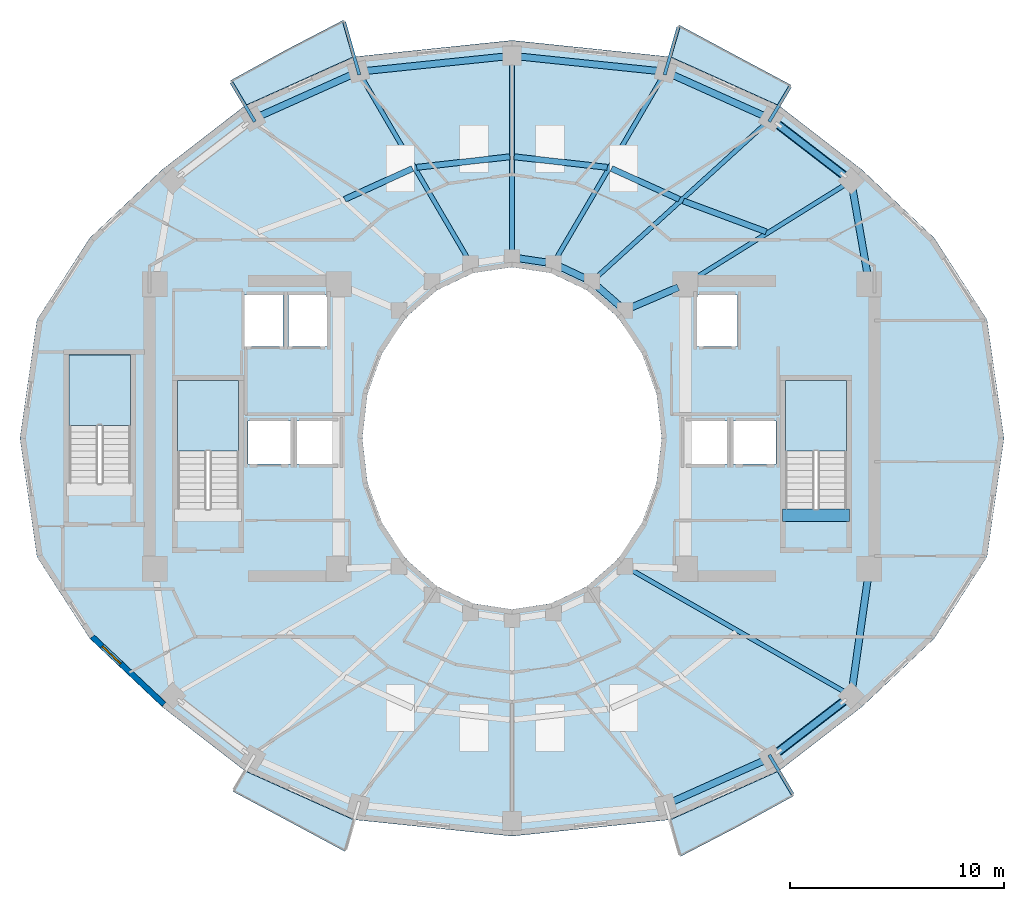
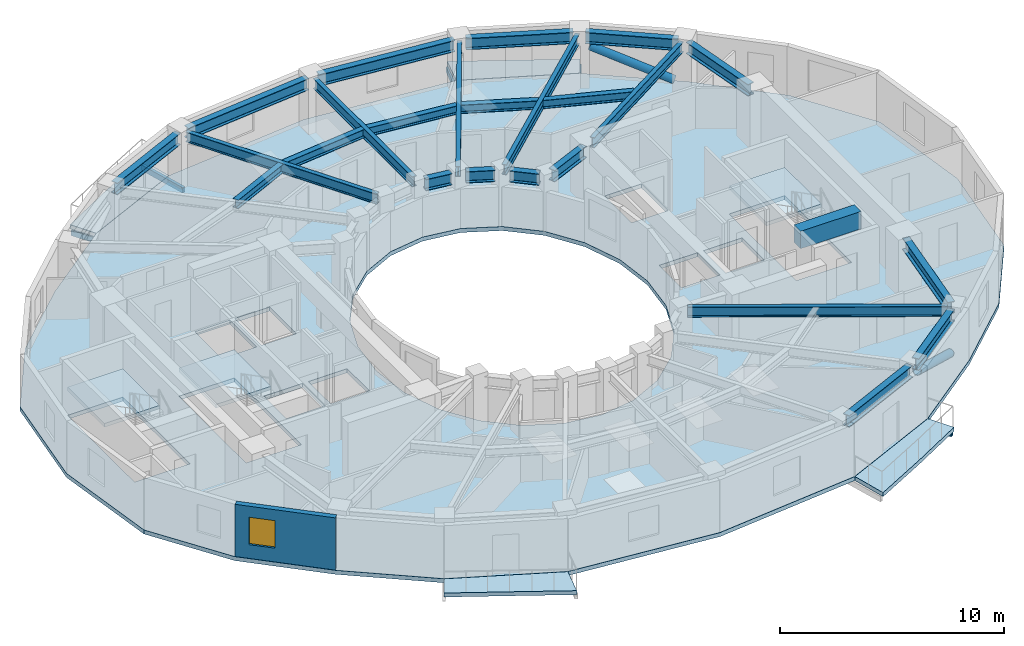
# One storey, part 2 of 10: 30 beams, 8 slabs, 2 members, 1 wall, 1 window, 1 opening, 3 elements without a shape of their own.
"""IFC4 building model written with IfcOpenShell, lengths in metres."""

from ifc_helpers import new_model, si_unit, direction, frame, frame_2d, origin, origin_2d, place, context, subcontext, project, spatial, polyline, rectangle, hollow_rectangle, hollow_circle, i_section, outline, extrude, material, layer, layer_set, material_profile, profile_set, type_object, element, fill, aggregate, save


model = new_model("IFC4")

# Units and contexts
model_context = context("Model", 3, precision=1e-05, world=origin(), true_north=direction((0.0, 1.0)))
body_context = subcontext(model_context, "Body", "Model", "MODEL_VIEW")
ifc_project = project(units=[si_unit("LENGTHUNIT", "METRE"), si_unit("AREAUNIT", "SQUARE_METRE"), si_unit("VOLUMEUNIT", "CUBIC_METRE"), si_unit("PLANEANGLEUNIT", "RADIAN"), si_unit("MASSUNIT", "GRAM", prefix="KILO")], contexts=[model_context])

# Site, building, storey
site_placement = place(None, origin())
site = spatial("IfcSite", under=ifc_project, at=site_placement, CompositionType="ELEMENT")
building_placement = place(site_placement, origin())
building = spatial("IfcBuilding", under=site, at=building_placement, Name="Solvane Sanctuary Tower", CompositionType="ELEMENT")
storey_placement = place(building_placement, frame((0.0, 0.0, 183.89990234375)))
storey = spatial("IfcBuildingStorey", under=building, at=storey_placement, Name="L56", CompositionType="ELEMENT", Elevation=183.89990234375)

# Beams
ifc_material_1 = material(Name="Steel ASTM A500 Grade C", Category="steel")
ifc_material_profile_1 = material_profile(ifc_material_1, hollow_rectangle(XDim=0.14990234375, YDim=0.300048828125, WallThickness=0.010009765625, at=origin_2d()), Name="HSS300X150X10")
ifc_profile_set_1 = profile_set([ifc_material_profile_1], Name="Steel ASTM A500 Grade C")
beam_type_1 = type_object("IfcBeamType", Name="Beam B-BALC-BRK HSS300X150X10", PredefinedType="BEAM", material=ifc_profile_set_1)
beam_1_placement = place(storey_placement, frame((44.02099609375, 37.79931640625, -0.371826171875), z_axis=(0.51388983918, 0.857856184443, 0.0), x_axis=(-0.857856184443, 0.51388983918, 0.0)))
element("IfcBeam", 1, at=beam_1_placement, inside=storey, type_object=beam_type_1, Name="L56 Balcony Bracket N1-1", PredefinedType="BEAM", context=body_context, shape_type="SweptSolid", body=[
    extrude(hollow_rectangle(XDim=0.14990234375, YDim=0.300048828125, WallThickness=0.010009765625, at=origin_2d()), origin(), (0.0, 0.0, 1.0), 1.896484375),
])
beam_2_placement = place(storey_placement, frame((39.13671875, 39.990478515625, -0.371826171875), z_axis=(0.277479359198, 0.960731598949, 0.0), x_axis=(-0.960731598949, 0.277479359198, 0.0)))
element("IfcBeam", 2, at=beam_2_placement, inside=storey, type_object=beam_type_1, Name="L56 Balcony Bracket N1-2", PredefinedType="BEAM", context=body_context, shape_type="SweptSolid", body=[
    extrude(hollow_rectangle(XDim=0.14990234375, YDim=0.300048828125, WallThickness=0.010009765625, at=origin_2d()), origin(), (0.0, 0.0, 1.0), 2.325439453125),
])
beam_3_placement = place(storey_placement, frame((24.863037109375, 39.990478515625, -0.371826171875), z_axis=(-0.275701054563, 0.961243428333, 0.0), x_axis=(-0.961243428333, -0.275701054563, 0.0)))
element("IfcBeam", 3, at=beam_3_placement, inside=storey, type_object=beam_type_1, Name="L56 Balcony Bracket N2-1", PredefinedType="BEAM", context=body_context, shape_type="SweptSolid", body=[
    extrude(hollow_rectangle(XDim=0.14990234375, YDim=0.300048828125, WallThickness=0.010009765625, at=origin_2d()), origin(), (0.0, 0.0, 1.0), 2.566162109375),
])
for number, where, z_axis, x_axis, name in (
    (4, (19.978759765625, 37.79931640625, -0.371826171875), (-0.512327078804, 0.858790407681, 0.0), (-0.858790407681, -0.512327078804, 0.0), "L56 Balcony Bracket N2-2"),
    (5, (44.021240234375, 8.20068359375, -0.371826171875), (0.512327078804, -0.858790407681, 0.0), (0.858790407681, 0.512327078804, 0.0), "L56 Balcony Bracket S2-2"),
):
    element("IfcBeam", number, at=place(storey_placement, frame(where, z_axis=z_axis, x_axis=x_axis)), inside=storey, type_object=beam_type_1, Name=name, PredefinedType="BEAM", context=body_context, shape_type="SweptSolid", body=[
        extrude(hollow_rectangle(XDim=0.14990234375, YDim=0.300048828125, WallThickness=0.010009765625, at=origin_2d()), origin(), (0.0, 0.0, 1.0), 2.13720703125),
    ])
ifc_material_2 = material(Name="Concrete C70/85", Category="concrete")
ifc_material_profile_2 = material_profile(ifc_material_2, rectangle(XDim=0.60009765625, YDim=0.949951171875, at=origin_2d()), Name="RC600X950")
ifc_profile_set_2 = profile_set([ifc_material_profile_2], Name="Concrete C70/85")
beam_type_2 = type_object("IfcBeamType", Name="Beam B-COUPLE RC600X950", PredefinedType="LINTEL", material=ifc_profile_set_2)
beam_4_placement = place(storey_placement, frame((44.64990234375, 19.399169921875, 2.625), z_axis=(1.0, 0.0, 0.0), x_axis=(0.0, 1.0, 0.0)))
element("IfcBeam", 6, at=beam_4_placement, inside=storey, type_object=beam_type_2, Name="L56 ST-2 Stair Floor Landing Trimmer", PredefinedType="LINTEL", context=body_context, shape_type="SweptSolid", body=[
    extrude(rectangle(XDim=0.60009765625, YDim=0.949951171875, at=origin_2d()), origin(), (0.0, 0.0, 1.0), 3.1201171875),
])
ifc_material_3 = material(Name="Steel ASTM A992 Grade 50", Category="steel")
ifc_material_profile_3 = material_profile(ifc_material_3, i_section(OverallWidth=0.214111328125, OverallDepth=0.549072265625, WebThickness=0.0146484375, FlangeThickness=0.023681640625, FilletRadius=0.014892578125, at=origin_2d()), Name="W21X93")
ifc_profile_set_3 = profile_set([ifc_material_profile_3], Name="Steel ASTM A992 Grade 50")
beam_type_3 = type_object("IfcBeamType", Name="Beam B-RAD-Z3 W21X93", PredefinedType="JOIST", material=ifc_profile_set_3)
beam_5_placement = place(storey_placement, frame((40.405517578125, 30.390380859375, 2.603515625), z_axis=(0.84882685523, 0.528670946658, 0.0), x_axis=(-0.528670946658, 0.84882685523, 0.0)))
element("IfcBeam", 7, at=beam_5_placement, inside=storey, type_object=beam_type_3, Name="L56 Radial Composite Floor Beam 01", PredefinedType="JOIST", context=body_context, shape_type="SweptSolid", body=[
    extrude(i_section(OverallWidth=0.214111328125, OverallDepth=0.549072265625, WebThickness=0.0146484375, FlangeThickness=0.023681640625, FilletRadius=0.014892578125, at=origin_2d()), origin(), (0.0, 0.0, 1.0), 8.498046875),
])
beam_6_placement = place(storey_placement, frame((35.937255859375, 30.514892578125, 2.603515625), z_axis=(0.74020423772, 0.672382098558, 0.0), x_axis=(-0.672382098558, 0.74020423772, 0.0)))
element("IfcBeam", 8, at=beam_6_placement, inside=storey, type_object=beam_type_3, Name="L56 Radial Composite Floor Beam 02", PredefinedType="JOIST", context=body_context, shape_type="SweptSolid", body=[
    extrude(i_section(OverallWidth=0.214111328125, OverallDepth=0.549072265625, WebThickness=0.0146484375, FlangeThickness=0.023681640625, FilletRadius=0.014892578125, at=origin_2d()), origin(), (0.0, 0.0, 1.0), 10.7451171875),
])
beam_7_placement = place(storey_placement, frame((34.072265625, 31.413330078125, 2.603515625), z_axis=(0.505243742555, 0.862976686017, 0.0), x_axis=(-0.862976686017, 0.505243742555, 0.0)))
element("IfcBeam", 9, at=beam_7_placement, inside=storey, type_object=beam_type_3, Name="L56 Radial Composite Floor Beam 03", PredefinedType="JOIST", context=body_context, shape_type="SweptSolid", body=[
    extrude(i_section(OverallWidth=0.214111328125, OverallDepth=0.549072265625, WebThickness=0.0146484375, FlangeThickness=0.023681640625, FilletRadius=0.014892578125, at=origin_2d()), origin(), (0.0, 0.0, 1.0), 9.826171875),
])
beam_8_placement = place(storey_placement, frame((32.0, 31.739990234375, 2.603515625), z_axis=(0.0, 1.0, 0.0), x_axis=(-1.0, 0.0, 0.0)))
element("IfcBeam", 10, at=beam_8_placement, inside=storey, type_object=beam_type_3, Name="L56 Radial Composite Floor Beam 04", PredefinedType="JOIST", context=body_context, shape_type="SweptSolid", body=[
    extrude(i_section(OverallWidth=0.214111328125, OverallDepth=0.549072265625, WebThickness=0.0146484375, FlangeThickness=0.023681640625, FilletRadius=0.014892578125, at=origin_2d()), origin(), (0.0, 0.0, 1.0), 8.860107421875),
])
beam_9_placement = place(storey_placement, frame((29.927734375, 31.413330078125, 2.603515625), z_axis=(-0.505243742555, 0.862976686017, 0.0), x_axis=(-0.862976686017, -0.505243742555, 0.0)))
element("IfcBeam", 11, at=beam_9_placement, inside=storey, type_object=beam_type_3, Name="L56 Radial Composite Floor Beam 05", PredefinedType="JOIST", context=body_context, shape_type="SweptSolid", body=[
    extrude(i_section(OverallWidth=0.214111328125, OverallDepth=0.549072265625, WebThickness=0.0146484375, FlangeThickness=0.023681640625, FilletRadius=0.014892578125, at=origin_2d()), origin(), (0.0, 0.0, 1.0), 9.826171875),
])
beam_10_placement = place(storey_placement, frame((37.51806640625, 16.87890625, 2.603515625), z_axis=(0.86816302692, -0.496279113694, 0.0), x_axis=(0.496279113694, 0.86816302692, 0.0)))
element("IfcBeam", 12, at=beam_10_placement, inside=storey, type_object=beam_type_3, Name="L56 Radial Composite Floor Beam 14", PredefinedType="JOIST", context=body_context, shape_type="SweptSolid", body=[
    extrude(i_section(OverallWidth=0.214111328125, OverallDepth=0.549072265625, WebThickness=0.0146484375, FlangeThickness=0.023681640625, FilletRadius=0.014892578125, at=origin_2d()), origin(), (0.0, 0.0, 1.0), 11.62841796875),
])
ifc_material_profile_4 = material_profile(ifc_material_3, i_section(OverallWidth=0.324951171875, OverallDepth=0.615966796875, WebThickness=0.013916015625, FlangeThickness=0.021484375, FilletRadius=0.01611328125, at=origin_2d()), Name="W24X117")
ifc_profile_set_4 = profile_set([ifc_material_profile_4], Name="Steel ASTM A992 Grade 50")
beam_type_4 = type_object("IfcBeamType", Name="Beam B-RING-IN2 W24X117", PredefinedType="BEAM", material=ifc_profile_set_4)
beam_11_placement = place(storey_placement, frame((32.34130859375, 31.4091796875, 2.570068359375), z_axis=(0.989019905763, -0.147782360259, 0.0), x_axis=(0.147782360259, 0.989019905763, 0.0)))
element("IfcBeam", 13, at=beam_11_placement, inside=storey, type_object=beam_type_4, Name="L56 Inner Light-Well Ring Beam IC04-IC03", PredefinedType="BEAM", context=body_context, shape_type="SweptSolid", body=[
    extrude(i_section(OverallWidth=0.324951171875, OverallDepth=0.615966796875, WebThickness=0.013916015625, FlangeThickness=0.021484375, FilletRadius=0.01611328125, at=origin_2d()), origin(), (0.0, 0.0, 1.0), 1.26220703125),
])
beam_12_placement = place(storey_placement, frame((34.2431640625, 31.02490234375, 2.570068359375), z_axis=(0.9051808128, -0.425026700502, 0.0), x_axis=(0.425026700502, 0.9051808128, 0.0)))
element("IfcBeam", 14, at=beam_12_placement, inside=storey, type_object=beam_type_4, Name="L56 Inner Light-Well Ring Beam IC03-IC02", PredefinedType="BEAM", context=body_context, shape_type="SweptSolid", body=[
    extrude(i_section(OverallWidth=0.324951171875, OverallDepth=0.615966796875, WebThickness=0.013916015625, FlangeThickness=0.021484375, FilletRadius=0.01611328125, at=origin_2d()), origin(), (0.0, 0.0, 1.0), 1.297607421875),
])
beam_13_placement = place(storey_placement, frame((35.990234375, 30.10009765625, 2.570068359375), z_axis=(0.754311313851, -0.656516901379, 0.0), x_axis=(0.656516901379, 0.754311313851, 0.0)))
element("IfcBeam", 15, at=beam_13_placement, inside=storey, type_object=beam_type_4, Name="L56 Inner Light-Well Ring Beam IC02-IC01", PredefinedType="BEAM", context=body_context, shape_type="SweptSolid", body=[
    extrude(i_section(OverallWidth=0.324951171875, OverallDepth=0.615966796875, WebThickness=0.013916015625, FlangeThickness=0.021484375, FilletRadius=0.01611328125, at=origin_2d()), origin(), (0.0, 0.0, 1.0), 1.358154296875),
])
beam_14_placement = place(storey_placement, frame((37.591796875, 29.11865234375, 2.570068359375), z_axis=(0.918264067649, 0.395968561966, 0.0), x_axis=(-0.395968561966, 0.918264067649, 0.0)))
element("IfcBeam", 16, at=beam_14_placement, inside=storey, type_object=beam_type_4, Name="L56 Inner Light-Well Ring Beam IC01-CE4", PredefinedType="BEAM", context=body_context, shape_type="SweptSolid", body=[
    extrude(i_section(OverallWidth=0.324951171875, OverallDepth=0.615966796875, WebThickness=0.013916015625, FlangeThickness=0.021484375, FilletRadius=0.01611328125, at=origin_2d()), origin(), (0.0, 0.0, 1.0), 2.371337890625),
])
ifc_material_profile_5 = material_profile(ifc_material_3, i_section(OverallWidth=0.280029296875, OverallDepth=0.462890625, WebThickness=0.0107421875, FlangeThickness=0.017333984375, FilletRadius=0.013916015625, at=origin_2d()), Name="W18X76")
ifc_profile_set_5 = profile_set([ifc_material_profile_5], Name="Steel ASTM A992 Grade 50")
beam_type_5 = type_object("IfcBeamType", Name="Beam B-SEC-JOIST W18X76", PredefinedType="JOIST", material=ifc_profile_set_5)
beam_15_placement = place(storey_placement, frame((24.178955078125, 34.16943359375, 2.646484375), z_axis=(0.910488773031, 0.413533788443, 0.0), x_axis=(-0.413533788443, 0.910488773031, 0.0)))
element("IfcBeam", 17, at=beam_15_placement, inside=storey, type_object=beam_type_5, Name="L56 Secondary Circumferential Joist 06-05", PredefinedType="JOIST", context=body_context, shape_type="SweptSolid", body=[
    extrude(i_section(OverallWidth=0.280029296875, OverallDepth=0.462890625, WebThickness=0.0107421875, FlangeThickness=0.017333984375, FilletRadius=0.013916015625, at=origin_2d()), origin(), (0.0, 0.0, 1.0), 3.485595703125),
])
for number, where, z_axis, x_axis, name in (
    (18, (27.546875, 35.66455078125, 2.646484375), (0.993621305354, 0.112768353477, 0.0), (-0.112768353477, 0.993621305354, 0.0), "L56 Secondary Circumferential Joist 05-04"),
    (19, (32.101318359375, 36.158447265625, 2.646484375), (0.993621305354, -0.112768353477, 0.0), (0.112768353477, 0.993621305354, 0.0), "L56 Secondary Circumferential Joist 04-03"),
):
    element("IfcBeam", number, at=place(storey_placement, frame(where, z_axis=z_axis, x_axis=x_axis)), inside=storey, type_object=beam_type_5, Name=name, PredefinedType="JOIST", context=body_context, shape_type="SweptSolid", body=[
        extrude(i_section(OverallWidth=0.280029296875, OverallDepth=0.462890625, WebThickness=0.0107421875, FlangeThickness=0.017333984375, FilletRadius=0.013916015625, at=origin_2d()), origin(), (0.0, 0.0, 1.0), 4.379638671875),
    ])
beam_16_placement = place(storey_placement, frame((36.6474609375, 35.61083984375, 2.646484375), z_axis=(0.91050074995, -0.413507417516, 0.0), x_axis=(0.413507417516, 0.91050074995, 0.0)))
element("IfcBeam", 20, at=beam_16_placement, inside=storey, type_object=beam_type_5, Name="L56 Secondary Circumferential Joist 03-02", PredefinedType="JOIST", context=body_context, shape_type="SweptSolid", body=[
    extrude(i_section(OverallWidth=0.280029296875, OverallDepth=0.462890625, WebThickness=0.0107421875, FlangeThickness=0.017333984375, FilletRadius=0.013916015625, at=origin_2d()), origin(), (0.0, 0.0, 1.0), 3.48583984375),
])
beam_17_placement = place(storey_placement, frame((40.009765625, 34.091796875, 2.646484375), z_axis=(0.937258220662, -0.34863595311, 0.0), x_axis=(0.34863595311, 0.937258220662, 0.0)))
element("IfcBeam", 21, at=beam_17_placement, inside=storey, type_object=beam_type_5, Name="L56 Secondary Circumferential Joist 02-01", PredefinedType="JOIST", context=body_context, shape_type="SweptSolid", body=[
    extrude(i_section(OverallWidth=0.280029296875, OverallDepth=0.462890625, WebThickness=0.0107421875, FlangeThickness=0.017333984375, FilletRadius=0.013916015625, at=origin_2d()), origin(), (0.0, 0.0, 1.0), 4.13232421875),
])
ifc_material_profile_6 = material_profile(ifc_material_3, i_section(OverallWidth=0.327880859375, OverallDepth=0.6279296875, WebThickness=0.0166015625, FlangeThickness=0.027587890625, FilletRadius=0.01611328125, at=origin_2d()), Name="W24X146")
ifc_profile_set_6 = profile_set([ifc_material_profile_6], Name="Steel ASTM A992 Grade 50")
beam_type_6 = type_object("IfcBeamType", Name="Beam B-SPAND-Z3 W24X146", PredefinedType="SPANDREL", material=ifc_profile_set_6)
beam_18_placement = place(storey_placement, frame((20.157470703125, 38.04248046875, 2.564208984375), z_axis=(0.912414349424, 0.409267705744, 0.0), x_axis=(-0.409267705744, 0.912414349424, 0.0)))
element("IfcBeam", 22, at=beam_18_placement, inside=storey, type_object=beam_type_6, Name="L56 Perimeter Spandrel Beam TC06-TC05", PredefinedType="SPANDREL", context=body_context, shape_type="SweptSolid", body=[
    extrude(i_section(OverallWidth=0.327880859375, OverallDepth=0.6279296875, WebThickness=0.0166015625, FlangeThickness=0.027587890625, FilletRadius=0.01611328125, at=origin_2d()), origin(), (0.0, 0.0, 1.0), 4.831787109375),
])
for number, where, z_axis, x_axis, name in (
    (23, (25.10009765625, 40.16357421875, 2.564208984375), (0.994652761118, 0.103275770632, 0.0), (-0.103275770632, 0.994652761118, 0.0), "L56 Perimeter Spandrel Beam TC05-TC04"),
    (24, (32.278564453125, 40.85107421875, 2.564208984375), (0.994652761118, -0.103275770632, 0.0), (0.103275770632, 0.994652761118, 0.0), "L56 Perimeter Spandrel Beam TC04-TC03"),
):
    element("IfcBeam", number, at=place(storey_placement, frame(where, z_axis=z_axis, x_axis=x_axis)), inside=storey, type_object=beam_type_6, Name=name, PredefinedType="SPANDREL", context=body_context, shape_type="SweptSolid", body=[
        extrude(i_section(OverallWidth=0.327880859375, OverallDepth=0.6279296875, WebThickness=0.0166015625, FlangeThickness=0.027587890625, FilletRadius=0.01611328125, at=origin_2d()), origin(), (0.0, 0.0, 1.0), 6.656982421875),
    ])
beam_19_placement = place(storey_placement, frame((39.433837890625, 40.02001953125, 2.564208984375), z_axis=(0.912414349424, -0.409267705744, 0.0), x_axis=(0.409267705744, 0.912414349424, 0.0)))
element("IfcBeam", 25, at=beam_19_placement, inside=storey, type_object=beam_type_6, Name="L56 Perimeter Spandrel Beam TC03-TC02", PredefinedType="SPANDREL", context=body_context, shape_type="SweptSolid", body=[
    extrude(i_section(OverallWidth=0.327880859375, OverallDepth=0.6279296875, WebThickness=0.0166015625, FlangeThickness=0.027587890625, FilletRadius=0.01611328125, at=origin_2d()), origin(), (0.0, 0.0, 1.0), 4.831787109375),
])
beam_20_placement = place(storey_placement, frame((44.31982421875, 37.757080078125, 2.564208984375), z_axis=(0.792020773873, -0.610494139001, 0.0), x_axis=(0.610494139001, 0.792020773873, 0.0)))
element("IfcBeam", 26, at=beam_20_placement, inside=storey, type_object=beam_type_6, Name="L56 Perimeter Spandrel Beam TC02-TC01", PredefinedType="SPANDREL", context=body_context, shape_type="SweptSolid", body=[
    extrude(i_section(OverallWidth=0.327880859375, OverallDepth=0.6279296875, WebThickness=0.0166015625, FlangeThickness=0.027587890625, FilletRadius=0.01611328125, at=origin_2d()), origin(), (0.0, 0.0, 1.0), 4.185302734375),
])
beam_21_placement = place(storey_placement, frame((47.90478515625, 34.75537109375, 2.564208984375), z_axis=(0.171967263087, -0.985102664917, 0.0), x_axis=(0.985102664917, 0.171967263087, 0.0)))
element("IfcBeam", 27, at=beam_21_placement, inside=storey, type_object=beam_type_6, Name="L56 Perimeter Spandrel Beam TC01-CE3", PredefinedType="SPANDREL", context=body_context, shape_type="SweptSolid", body=[
    extrude(i_section(OverallWidth=0.327880859375, OverallDepth=0.6279296875, WebThickness=0.0166015625, FlangeThickness=0.027587890625, FilletRadius=0.01611328125, at=origin_2d()), origin(), (0.0, 0.0, 1.0), 4.34423828125),
])
beam_22_placement = place(storey_placement, frame((39.433837890625, 5.97998046875, 2.564208984375), z_axis=(0.912414349424, 0.409267705744, 0.0), x_axis=(-0.409267705744, 0.912414349424, 0.0)))
element("IfcBeam", 28, at=beam_22_placement, inside=storey, type_object=beam_type_6, Name="L56 Perimeter Spandrel Beam TC12-TC13", PredefinedType="SPANDREL", context=body_context, shape_type="SweptSolid", body=[
    extrude(i_section(OverallWidth=0.327880859375, OverallDepth=0.6279296875, WebThickness=0.0166015625, FlangeThickness=0.027587890625, FilletRadius=0.01611328125, at=origin_2d()), origin(), (0.0, 0.0, 1.0), 4.831787109375),
])
beam_23_placement = place(storey_placement, frame((44.31982421875, 8.242919921875, 2.564208984375), z_axis=(0.792020773873, 0.610494139001, 0.0), x_axis=(-0.610494139001, 0.792020773873, 0.0)))
element("IfcBeam", 29, at=beam_23_placement, inside=storey, type_object=beam_type_6, Name="L56 Perimeter Spandrel Beam TC13-TC14", PredefinedType="SPANDREL", context=body_context, shape_type="SweptSolid", body=[
    extrude(i_section(OverallWidth=0.327880859375, OverallDepth=0.6279296875, WebThickness=0.0166015625, FlangeThickness=0.027587890625, FilletRadius=0.01611328125, at=origin_2d()), origin(), (0.0, 0.0, 1.0), 4.185302734375),
])
beam_24_placement = place(storey_placement, frame((47.89599609375, 11.24609375, 2.564208984375), z_axis=(0.140798255486, 0.990038307972, 0.0), x_axis=(-0.990038307972, 0.140798255486, 0.0)))
element("IfcBeam", 30, at=beam_24_placement, inside=storey, type_object=beam_type_6, Name="L56 Perimeter Spandrel Beam TC14-CE2", PredefinedType="SPANDREL", context=body_context, shape_type="SweptSolid", body=[
    extrude(i_section(OverallWidth=0.327880859375, OverallDepth=0.6279296875, WebThickness=0.0166015625, FlangeThickness=0.027587890625, FilletRadius=0.01611328125, at=origin_2d()), origin(), (0.0, 0.0, 1.0), 5.430908203125),
])

# Members
ifc_material_profile_7 = material_profile(ifc_material_3, hollow_circle(Radius=0.202880859375, WallThickness=0.012451171875, at=origin_2d()), Name="CHS406X12.5")
ifc_profile_set_7 = profile_set([ifc_material_profile_7], Name="Steel ASTM A992 Grade 50")
member_type = type_object("IfcMemberType", Name="Member M-TUBE-Z3 CHS406X12.5", PredefinedType="BRACE", material=ifc_profile_set_7)
for number, where, z_axis, x_axis, name in (
    (31, (47.48974609375, 35.313720703125, 0.5625), (-0.73686018058, 0.568005062922, 0.366616042707), (-0.610513708364, -0.792005689311, 0.0), "L56 Perimeter Braced-Tube Diagonal NE"),
    (32, (47.48974609375, 10.686279296875, 0.5625), (-0.73686018058, -0.568005062922, 0.366616042707), (0.610513708364, -0.792005689311, 0.0), "L56 Perimeter Braced-Tube Diagonal SE"),
):
    element("IfcMember", number, at=place(storey_placement, frame(where, z_axis=z_axis, x_axis=x_axis)), inside=storey, type_object=member_type, Name=name, PredefinedType="BRACE", context=body_context, shape_type="SweptSolid", body=[
        extrude(hollow_circle(Radius=0.202880859375, WallThickness=0.012451171875, at=origin_2d()), origin(), (0.0, 0.0, 1.0), 4.104736328125),
    ])

# Slabs
ifc_material_4 = material(Name="Precast concrete C40/50", Category="concrete")
ifc_layer_1 = layer(ifc_material_4, 0.219970703125, Name="Precast concrete C40/50")
ifc_layer_set_1 = layer_set([ifc_layer_1], Name="Precast concrete C40/50")
slab_type_1 = type_object("IfcSlabType", Name="Slab SL-BALC-200", PredefinedType="FLOOR", material=ifc_layer_set_1)
slab_1_placement = place(storey_placement, frame((0.0, 0.0, -0.219970703125)))
element("IfcSlab", 33, at=slab_1_placement, inside=storey, type_object=slab_type_1, Name="L56 Wave Balcony Slab N1", PredefinedType="FLOOR", context=body_context, shape_type="SweptSolid", body=[
    extrude(outline(polyline([(45.046875, 39.511962890625), (42.451416015625, 40.89892578125), (39.809814453125, 42.32080078125), (39.411865234375, 40.833251953125), (44.49072265625, 38.549560546875), (45.046875, 39.511962890625)])), origin(), (0.0, 0.0, 1.0), 0.219970703125),
])
slab_2_placement = place(storey_placement, frame((0.0, 0.0, -0.219970703125)))
element("IfcSlab", 34, at=slab_2_placement, inside=storey, type_object=slab_type_1, Name="L56 Wave Balcony Slab N2", PredefinedType="FLOOR", context=body_context, shape_type="SweptSolid", body=[
    extrude(outline(polyline([(24.1279296875, 42.55322265625), (21.442138671875, 41.156005859375), (18.832763671875, 39.720703125), (19.50927734375, 38.549560546875), (24.588134765625, 40.833251953125), (24.1279296875, 42.55322265625)])), origin(), (0.0, 0.0, 1.0), 0.219970703125),
])
slab_3_placement = place(storey_placement, frame((0.0, 0.0, -0.219970703125)))
element("IfcSlab", 35, at=slab_3_placement, inside=storey, type_object=slab_type_1, Name="L56 Wave Balcony Slab S1", PredefinedType="FLOOR", context=body_context, shape_type="SweptSolid", body=[
    extrude(outline(polyline([(18.953125, 6.488037109375), (21.548583984375, 5.10107421875), (24.190185546875, 3.67919921875), (24.588134765625, 5.166748046875), (19.50927734375, 7.450439453125), (18.953125, 6.488037109375)])), origin(), (0.0, 0.0, 1.0), 0.219970703125),
])
slab_4_placement = place(storey_placement, frame((0.0, 0.0, -0.219970703125)))
element("IfcSlab", 36, at=slab_4_placement, inside=storey, type_object=slab_type_1, Name="L56 Wave Balcony Slab S2", PredefinedType="FLOOR", context=body_context, shape_type="SweptSolid", body=[
    extrude(outline(polyline([(39.8720703125, 3.44677734375), (42.557861328125, 4.843994140625), (45.167236328125, 6.279296875), (44.49072265625, 7.450439453125), (39.411865234375, 5.166748046875), (39.8720703125, 3.44677734375)])), origin(), (0.0, 0.0, 1.0), 0.219970703125),
])

# Stair, slab
ifc_material_5 = material(Name="Concrete C45/55", Category="concrete")
stair_type = type_object("IfcStairType", Name="Stair ST-TOW", PredefinedType="HALF_TURN_STAIR", material=ifc_material_5)
stair_1_placement = place(storey_placement, origin())
stair_1 = element("IfcStair", 37, at=stair_1_placement, inside=storey, type_object=stair_type, Name="L56 Exit Stair ST-1 West Core", PredefinedType="HALF_TURN_STAIR")
ifc_layer_2 = layer(ifc_material_5, 0.199951171875, Name="Concrete C45/55")
ifc_layer_set_2 = layer_set([ifc_layer_2], Name="Concrete C45/55")
slab_type_2 = type_object("IfcSlabType", Name="Slab SL-LAND-180", PredefinedType="LANDING", material=ifc_layer_set_2)
slab_5_placement = place(storey_placement, frame((0.0, 0.0, 1.35009765625)))
slab_5 = element("IfcSlab", 38, at=slab_5_placement, type_object=slab_type_2, Name="ST-1 landing 1", PredefinedType="LANDING", context=body_context, shape_type="SweptSolid", body=[
    extrude(outline(polyline([(19.219970703125, 22.39990234375), (19.219970703125, 25.699951171875), (16.360107421875, 25.699951171875), (16.360107421875, 22.39990234375), (19.219970703125, 22.39990234375)])), origin(), (0.0, 0.0, 1.0), 0.199951171875),
])
aggregate(stair_1, [slab_5])

stair_2_placement = place(storey_placement, origin())
stair_2 = element("IfcStair", 39, at=stair_2_placement, inside=storey, type_object=stair_type, Name="L56 Exit Stair ST-2 East Core", PredefinedType="HALF_TURN_STAIR")
slab_6_placement = place(storey_placement, frame((0.0, 0.0, 1.35009765625)))
slab_6 = element("IfcSlab", 40, at=slab_6_placement, type_object=slab_type_2, Name="ST-2 landing 1", PredefinedType="LANDING", context=body_context, shape_type="SweptSolid", body=[
    extrude(outline(polyline([(47.639892578125, 22.39990234375), (47.639892578125, 25.699951171875), (44.780029296875, 25.699951171875), (44.780029296875, 22.39990234375), (47.639892578125, 22.39990234375)])), origin(), (0.0, 0.0, 1.0), 0.199951171875),
])
aggregate(stair_2, [slab_6])

stair_3_placement = place(storey_placement, origin())
stair_3 = element("IfcStair", 41, at=stair_3_placement, inside=storey, type_object=stair_type, Name="L56 Exit Stair ST-3 Pilgrim Tower Stair", PredefinedType="HALF_TURN_STAIR")
slab_7_placement = place(storey_placement, frame((0.0, 0.0, 1.35009765625)))
slab_7 = element("IfcSlab", 42, at=slab_7_placement, type_object=slab_type_2, Name="ST-3 landing 1", PredefinedType="LANDING", context=body_context, shape_type="SweptSolid", body=[
    extrude(outline(polyline([(14.159912109375, 23.60009765625), (14.159912109375, 26.89990234375), (11.300048828125, 26.89990234375), (11.300048828125, 23.60009765625), (14.159912109375, 23.60009765625)])), origin(), (0.0, 0.0, 1.0), 0.199951171875),
])
aggregate(stair_3, [slab_7])

# Slab
ifc_layer_3 = layer(ifc_material_5, 0.219970703125, Name="Concrete C45/55")
ifc_layer_set_3 = layer_set([ifc_layer_3], Name="Concrete C45/55")
slab_type_3 = type_object("IfcSlabType", Name="Slab SL-TOW-220", PredefinedType="FLOOR", material=ifc_layer_set_3)
slab_8_placement = place(storey_placement, frame((0.0, 0.0, -0.219970703125)))
element("IfcSlab", 43, at=slab_8_placement, inside=storey, type_object=slab_type_3, Name="L56 Primary Structural Slab", PredefinedType="FLOOR", context=body_context, shape_type="SweptSolid", body=[
    extrude(outline(polyline([(55.0, 23.0), (54.205322265625, 28.54150390625), (51.7392578125, 32.360107421875), (48.368896484375, 35.54345703125), (44.489013671875, 38.5458984375), (39.410400390625, 40.82958984375), (32.0, 41.60009765625), (24.589599609375, 40.82958984375), (19.510986328125, 38.5458984375), (15.631103515625, 35.54345703125), (12.2607421875, 32.360107421875), (9.794677734375, 28.54150390625), (9.0, 23.0), (9.794677734375, 17.45849609375), (12.2607421875, 13.639892578125), (15.631103515625, 10.45654296875), (19.510986328125, 7.4541015625), (24.589599609375, 5.17041015625), (32.0, 4.39990234375), (39.410400390625, 5.17041015625), (44.489013671875, 7.4541015625), (48.368896484375, 10.45654296875), (51.7392578125, 13.639892578125), (54.205322265625, 17.45849609375), (55.0, 23.0)]), holes=[polyline([(38.761474609375, 20.929443359375), (38.062255859375, 19.0), (36.94970703125, 17.343017578125), (35.5, 16.07177734375), (33.811767578125, 15.272705078125), (32.0, 15.0), (30.188232421875, 15.272705078125), (28.5, 16.07177734375), (27.05029296875, 17.343017578125), (25.937744140625, 19.0), (25.238525390625, 20.929443359375), (25.0, 23.0), (25.238525390625, 25.070556640625), (25.937744140625, 27.0), (27.05029296875, 28.656982421875), (28.5, 29.92822265625), (30.188232421875, 30.727294921875), (32.0, 31.0), (33.811767578125, 30.727294921875), (35.5, 29.92822265625), (36.94970703125, 28.656982421875), (38.062255859375, 27.0), (38.761474609375, 25.070556640625), (39.0, 23.0), (38.761474609375, 20.929443359375)]), polyline([(16.360107421875, 19.699951171875), (16.360107421875, 25.699951171875), (19.219970703125, 25.699951171875), (19.219970703125, 19.699951171875), (16.360107421875, 19.699951171875)]), polyline([(44.780029296875, 19.699951171875), (44.780029296875, 25.699951171875), (47.639892578125, 25.699951171875), (47.639892578125, 19.699951171875), (44.780029296875, 19.699951171875)]), polyline([(11.300048828125, 20.89990234375), (11.300048828125, 26.89990234375), (14.159912109375, 26.89990234375), (14.159912109375, 20.89990234375), (11.300048828125, 20.89990234375)]), polyline([(19.64990234375, 23.800048828125), (21.64990234375, 23.800048828125), (21.64990234375, 21.800048828125), (19.64990234375, 21.800048828125), (19.64990234375, 23.800048828125)]), polyline([(42.35009765625, 23.800048828125), (44.35009765625, 23.800048828125), (44.35009765625, 21.800048828125), (42.35009765625, 21.800048828125), (42.35009765625, 23.800048828125)]), polyline([(21.949951171875, 23.800048828125), (23.949951171875, 23.800048828125), (23.949951171875, 21.800048828125), (21.949951171875, 21.800048828125), (21.949951171875, 23.800048828125)]), polyline([(40.050048828125, 23.800048828125), (42.050048828125, 23.800048828125), (42.050048828125, 21.800048828125), (40.050048828125, 21.800048828125), (40.050048828125, 23.800048828125)]), polyline([(19.5, 29.699951171875), (21.300048828125, 29.699951171875), (21.300048828125, 27.300048828125), (19.5, 27.300048828125), (19.5, 29.699951171875)]), polyline([(21.550048828125, 29.699951171875), (23.35009765625, 29.699951171875), (23.35009765625, 27.300048828125), (21.550048828125, 27.300048828125), (21.550048828125, 29.699951171875)]), polyline([(40.64990234375, 29.699951171875), (42.550048828125, 29.699951171875), (42.550048828125, 27.300048828125), (40.64990234375, 27.300048828125), (40.64990234375, 29.699951171875)])]), origin(), (0.0, 0.0, 1.0), 0.219970703125),
])

# Wall, opening, window
ifc_layer_4 = layer(ifc_material_4, 0.260009765625, Name="Precast concrete C40/50")
ifc_layer_set_4 = layer_set([ifc_layer_4], Name="Precast concrete C40/50")
wall_type = type_object("IfcWallType", Name="Wall W-EXT-250", PredefinedType="STANDARD", material=ifc_layer_set_4)
wall_placement = place(storey_placement, frame((12.380859375, 13.71630859375, 0.0), z_axis=(0.0, 0.0, 1.0), x_axis=(0.727667301037, -0.68593024354, 0.0)))
wall = element("IfcWall", 44, at=wall_placement, inside=storey, type_object=wall_type, Name="L56 Ceramic-Printed Facade Wall 14", PredefinedType="STANDARD", context=body_context, shape_type="SweptSolid", body=[
    extrude(rectangle(XDim=4.603515625, YDim=0.260009765625, at=frame_2d((2.3017578125, 0.0))), origin(), (0.0, 0.0, 1.0), 2.85009765625),
])
opening_placement = place(wall_placement, frame((0.631103515625, 0.0, 0.75)))
opening = element("IfcOpeningElement", 45, at=opening_placement, cuts=wall, Name="Opening WN-OPER-1200", PredefinedType="OPENING", context=body_context, shape_type="SweptSolid", body=[
    extrude(rectangle(XDim=1.199951171875, YDim=1.5, at=frame_2d((0.60009765625, 0.75))), frame((0.0, 0.139892578125, 0.0), z_axis=(0.0, -1.0, 0.0), x_axis=(1.0, 0.0, 0.0)), (0.0, 0.0, 1.0), 0.280029296875),
])
ifc_material_6 = material(Name="Dark Ceramic-Fritted Low-E Glass", Category="glass")
window_type = type_object("IfcWindowType", Name="Window WN-OPER-1200", PartitioningType="SINGLE_PANEL", PredefinedType="WINDOW", material=ifc_material_6)
window_placement = place(opening_placement, origin())
window = element("IfcWindow", 46, at=window_placement, inside=storey, type_object=window_type, Name="L56 Operable Facade Window 14", OverallHeight=1.5, OverallWidth=1.199951171875, PartitioningType="SINGLE_PANEL", PredefinedType="WINDOW", context=body_context, shape_type="SweptSolid", body=[
    extrude(rectangle(XDim=1.199951171875, YDim=1.5, at=frame_2d((0.60009765625, 0.75))), frame((0.0, 0.030029296875, 0.0), z_axis=(0.0, -1.0, 0.0), x_axis=(1.0, 0.0, 0.0)), (0.0, 0.0, 1.0), 0.06005859375),
])
fill(opening, window)

save(model, "model.ifc")
